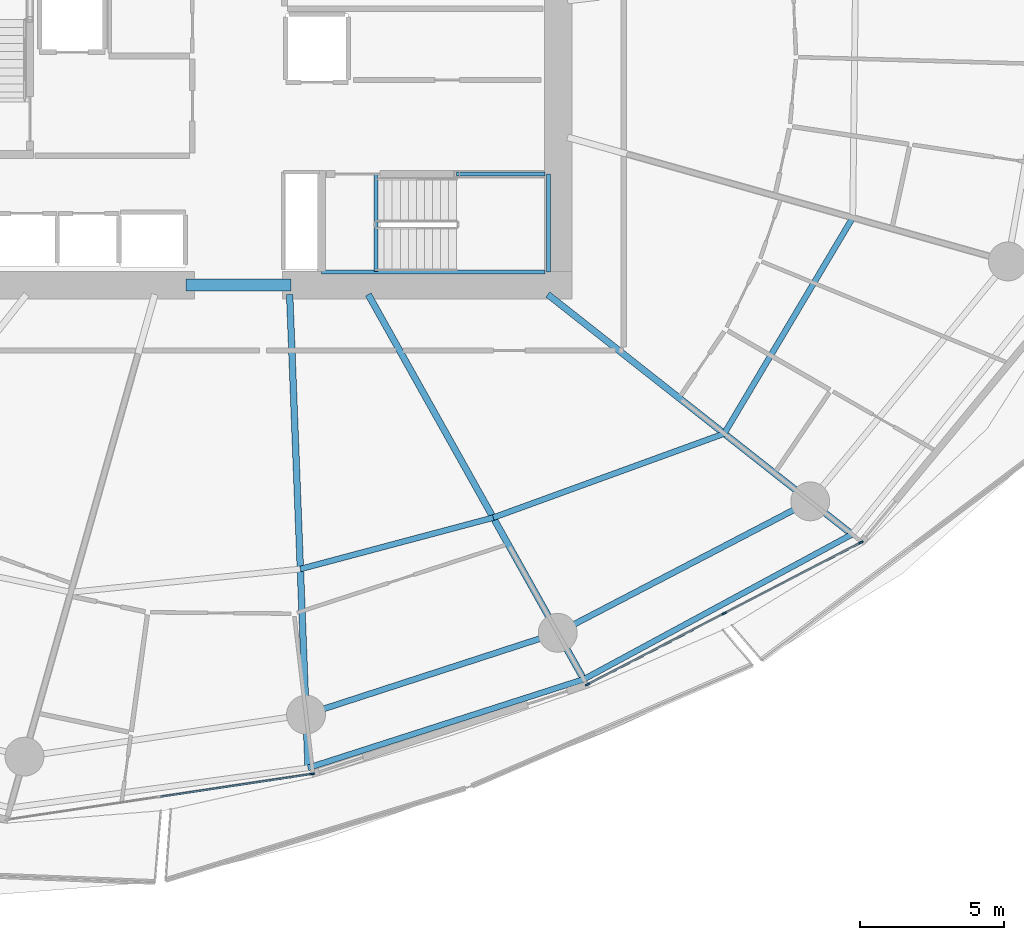
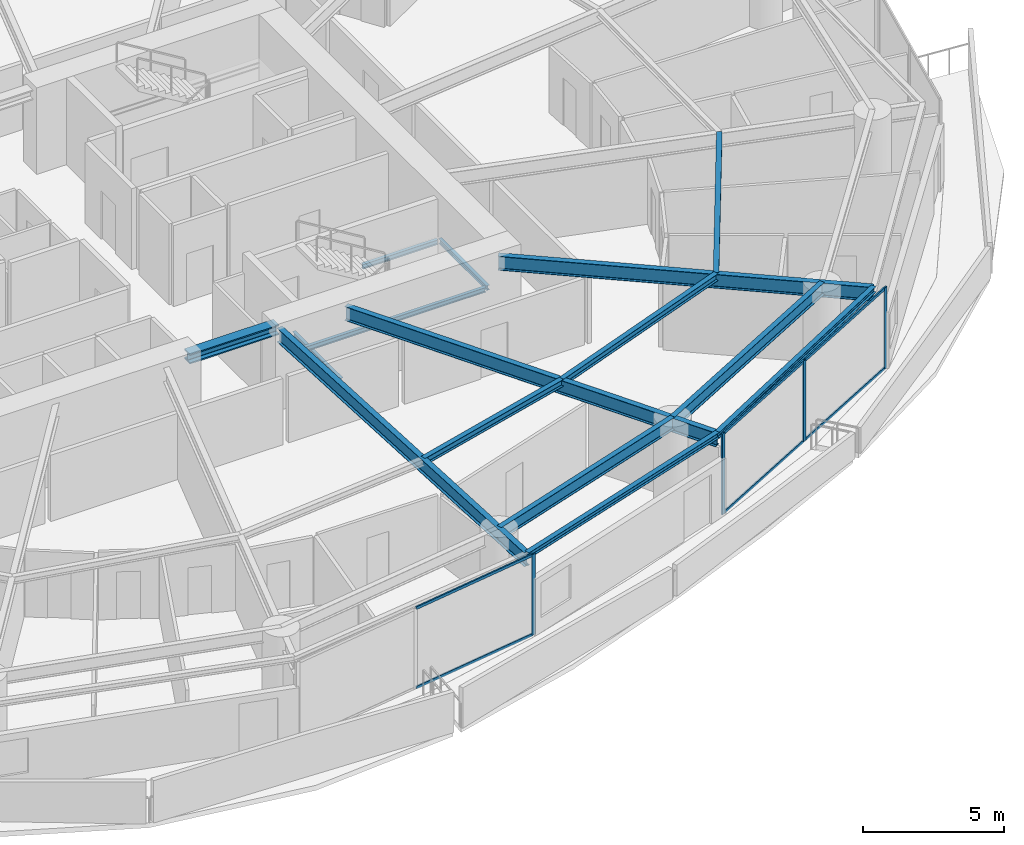
# One storey, part 10 of 31: 15 beams, 10 members, 2 elements without a shape of their own.
"""IFC4 building model written with IfcOpenShell, lengths in metres."""

from ifc_helpers import new_model, si_unit, direction, frame, origin, origin_2d, place, context, subcontext, project, spatial, rectangle, i_section, extrude, material, layer, layer_set, material_profile, profile_set, type_object, element, aggregate, save


model = new_model("IFC4")

# Units and contexts
model_context = context("Model", 3, precision=1e-05, world=origin(), true_north=direction((0.0, 1.0)))
body_context = subcontext(model_context, "Body", "Model", "MODEL_VIEW")
ifc_project = project(units=[si_unit("LENGTHUNIT", "METRE"), si_unit("AREAUNIT", "SQUARE_METRE"), si_unit("VOLUMEUNIT", "CUBIC_METRE"), si_unit("PLANEANGLEUNIT", "RADIAN"), si_unit("MASSUNIT", "GRAM", prefix="KILO")], contexts=[model_context])

# Site, building, storey
site_placement = place(None, origin())
site = spatial("IfcSite", under=ifc_project, at=site_placement, CompositionType="ELEMENT")
building_placement = place(site_placement, origin())
building = spatial("IfcBuilding", under=site, at=building_placement, Name="Kazma Halo Residences", CompositionType="ELEMENT")
storey_placement = place(building_placement, frame((0.0, 0.0, 52.64990234375)))
storey = spatial("IfcBuildingStorey", under=building, at=storey_placement, Name="L12", CompositionType="ELEMENT", Elevation=52.64990234375)

# Beams
ifc_material_1 = material(Name="Steel S355", Category="steel")
ifc_material_profile_1 = material_profile(ifc_material_1, i_section(OverallWidth=0.201904296875, OverallDepth=0.2470703125, WebThickness=0.00732421875, FlangeThickness=0.010986328125, FilletRadius=0.011962890625, at=origin_2d()), Name="W250x49.1")
ifc_profile_set_1 = profile_set([ifc_material_profile_1], Name="Steel S355")
beam_type_1 = type_object("IfcBeamType", Name="BM-BAL-CANT", PredefinedType="BEAM", material=ifc_profile_set_1)
beam_1_placement = place(storey_placement, frame((50.84033203125, 16.761962890625, 3.376708984375), z_axis=(0.952101049535, 0.305783569662, 0.0), x_axis=(-0.305783569662, 0.952101049535, 0.0)))
element("IfcBeam", 1, at=beam_1_placement, inside=storey, type_object=beam_type_1, Name="L12 wave-balcony tie beam 12", PredefinedType="BEAM", context=body_context, shape_type="SweptSolid", body=[
    extrude(i_section(OverallWidth=0.201904296875, OverallDepth=0.2470703125, WebThickness=0.00732421875, FlangeThickness=0.010986328125, FilletRadius=0.011962890625, at=origin_2d()), origin(), (0.0, 0.0, 1.0), 10.053466796875),
])
beam_2_placement = place(storey_placement, frame((60.412353515625, 19.836181640625, 3.376708984375), z_axis=(0.879759421466, 0.47541914175, 0.0), x_axis=(-0.47541914175, 0.879759421466, 0.0)))
element("IfcBeam", 2, at=beam_2_placement, inside=storey, type_object=beam_type_1, Name="L12 wave-balcony tie beam 13", PredefinedType="BEAM", context=body_context, shape_type="SweptSolid", body=[
    extrude(i_section(OverallWidth=0.201904296875, OverallDepth=0.2470703125, WebThickness=0.00732421875, FlangeThickness=0.010986328125, FilletRadius=0.011962890625, at=origin_2d()), origin(), (0.0, 0.0, 1.0), 10.58935546875),
])
ifc_material_profile_2 = material_profile(ifc_material_1, i_section(OverallWidth=0.408935546875, OverallDepth=0.425048828125, WebThickness=0.03271484375, FlangeThickness=0.052490234375, FilletRadius=0.02001953125, at=origin_2d()), Name="W360x421")
ifc_profile_set_2 = profile_set([ifc_material_profile_2], Name="Steel S355")
beam_type_2 = type_object("IfcBeamType", Name="BM-CORE-W360H", PredefinedType="BEAM", material=ifc_profile_set_2)
beam_3_placement = place(storey_placement, frame((46.60009765625, 33.52490234375, 3.28759765625), z_axis=(1.0, 0.0, 0.0), x_axis=(0.0, 1.0, 0.0)))
element("IfcBeam", 3, at=beam_3_placement, inside=storey, type_object=beam_type_2, Name="L12 core coupling beam S", PredefinedType="BEAM", context=body_context, shape_type="SweptSolid", body=[
    extrude(i_section(OverallWidth=0.408935546875, OverallDepth=0.425048828125, WebThickness=0.03271484375, FlangeThickness=0.052490234375, FilletRadius=0.02001953125, at=origin_2d()), origin(), (0.0, 0.0, 1.0), 3.64990234375),
])
ifc_material_profile_3 = material_profile(ifc_material_1, i_section(OverallWidth=0.22802734375, OverallDepth=0.60791015625, WebThickness=0.01123046875, FlangeThickness=0.017333984375, FilletRadius=0.01806640625, at=origin_2d()), Name="W610x113")
ifc_profile_set_3 = profile_set([ifc_material_profile_3], Name="Steel S355")
beam_type_3 = type_object("IfcBeamType", Name="BM-RAD-W610", PredefinedType="BEAM", material=ifc_profile_set_3)
beam_4_placement = place(storey_placement, frame((50.199951171875, 33.199951171875, 3.196044921875), z_axis=(0.038927845379, -0.999242024163, 0.0), x_axis=(0.999242024163, 0.038927845379, 0.0)))
element("IfcBeam", 4, at=beam_4_placement, inside=storey, type_object=beam_type_3, Name="L12 radial floor beam 12", PredefinedType="BEAM", context=body_context, shape_type="SweptSolid", body=[
    extrude(i_section(OverallWidth=0.22802734375, OverallDepth=0.60791015625, WebThickness=0.01123046875, FlangeThickness=0.017333984375, FilletRadius=0.01806640625, at=origin_2d()), origin(), (0.0, 0.0, 1.0), 16.450439453125),
])
beam_5_placement = place(storey_placement, frame((52.92822265625, 33.199951171875, 3.196044921875), z_axis=(0.488624239587, -0.872494328055, 0.0), x_axis=(0.872494328055, 0.488624239587, 0.0)))
element("IfcBeam", 5, at=beam_5_placement, inside=storey, type_object=beam_type_3, Name="L12 radial floor beam 13", PredefinedType="BEAM", context=body_context, shape_type="SweptSolid", body=[
    extrude(i_section(OverallWidth=0.22802734375, OverallDepth=0.60791015625, WebThickness=0.01123046875, FlangeThickness=0.017333984375, FilletRadius=0.01806640625, at=origin_2d()), origin(), (0.0, 0.0, 1.0), 15.316650390625),
])
beam_6_placement = place(storey_placement, frame((59.16259765625, 33.199951171875, 3.196044921875), z_axis=(0.785322437877, -0.619086963655, 0.0), x_axis=(0.619086963655, 0.785322437877, 0.0)))
element("IfcBeam", 6, at=beam_6_placement, inside=storey, type_object=beam_type_3, Name="L12 radial floor beam 14", PredefinedType="BEAM", context=body_context, shape_type="SweptSolid", body=[
    extrude(i_section(OverallWidth=0.22802734375, OverallDepth=0.60791015625, WebThickness=0.01123046875, FlangeThickness=0.017333984375, FilletRadius=0.01806640625, at=origin_2d()), origin(), (0.0, 0.0, 1.0), 13.454345703125),
])
ifc_material_profile_4 = material_profile(ifc_material_1, i_section(OverallWidth=0.202880859375, OverallDepth=0.302978515625, WebThickness=0.007568359375, FlangeThickness=0.01318359375, FilletRadius=0.013916015625, at=origin_2d()), Name="W310x60")
ifc_profile_set_4 = profile_set([ifc_material_profile_4], Name="Steel S355")
beam_type_4 = type_object("IfcBeamType", Name="BM-SEC-W310A", PredefinedType="JOIST", material=ifc_profile_set_4)
beam_7_placement = place(storey_placement, frame((50.5712890625, 23.666015625, 3.3486328125), z_axis=(0.966337757832, 0.257276772735, 0.0), x_axis=(-0.257276772735, 0.966337757832, 0.0)))
element("IfcBeam", 7, at=beam_7_placement, inside=storey, type_object=beam_type_4, Name="L12 circumferential floor joist 12", PredefinedType="JOIST", context=body_context, shape_type="SweptSolid", body=[
    extrude(i_section(OverallWidth=0.202880859375, OverallDepth=0.302978515625, WebThickness=0.007568359375, FlangeThickness=0.01318359375, FilletRadius=0.013916015625, at=origin_2d()), origin(), (0.0, 0.0, 1.0), 6.93115234375),
])
beam_8_placement = place(storey_placement, frame((57.26904296875, 25.44921875, 3.3486328125), z_axis=(0.939695690299, 0.34201170979, 0.0), x_axis=(-0.34201170979, 0.939695690299, 0.0)))
element("IfcBeam", 8, at=beam_8_placement, inside=storey, type_object=beam_type_4, Name="L12 circumferential floor joist 13", PredefinedType="JOIST", context=body_context, shape_type="SweptSolid", body=[
    extrude(i_section(OverallWidth=0.202880859375, OverallDepth=0.302978515625, WebThickness=0.007568359375, FlangeThickness=0.01318359375, FilletRadius=0.013916015625, at=origin_2d()), origin(), (0.0, 0.0, 1.0), 8.536865234375),
])
beam_9_placement = place(storey_placement, frame((65.291015625, 28.368896484375, 3.3486328125), z_axis=(0.511331320511, 0.859383663252, 0.0), x_axis=(-0.859383663252, 0.511331320511, 0.0)))
element("IfcBeam", 9, at=beam_9_placement, inside=storey, type_object=beam_type_4, Name="L12 circumferential floor joist 14", PredefinedType="JOIST", context=body_context, shape_type="SweptSolid", body=[
    extrude(i_section(OverallWidth=0.202880859375, OverallDepth=0.302978515625, WebThickness=0.007568359375, FlangeThickness=0.01318359375, FilletRadius=0.013916015625, at=origin_2d()), origin(), (0.0, 0.0, 1.0), 8.72314453125),
])
ifc_material_profile_5 = material_profile(ifc_material_1, i_section(OverallWidth=0.208984375, OverallDepth=0.532958984375, WebThickness=0.01025390625, FlangeThickness=0.015625, FilletRadius=0.01611328125, at=origin_2d()), Name="W530x92")
ifc_profile_set_5 = profile_set([ifc_material_profile_5], Name="Steel S355")
beam_type_5 = type_object("IfcBeamType", Name="BM-SPN-W530", PredefinedType="BEAM", material=ifc_profile_set_5)
beam_10_placement = place(storey_placement, frame((50.768310546875, 18.610595703125, 3.233642578125), z_axis=(0.951054956346, 0.309021795363, 0.0), x_axis=(-0.309021795363, 0.951054956346, 0.0)))
element("IfcBeam", 10, at=beam_10_placement, inside=storey, type_object=beam_type_5, Name="L12 perimeter ring beam 12", PredefinedType="BEAM", context=body_context, shape_type="SweptSolid", body=[
    extrude(i_section(OverallWidth=0.208984375, OverallDepth=0.532958984375, WebThickness=0.01025390625, FlangeThickness=0.015625, FilletRadius=0.01611328125, at=origin_2d()), origin(), (0.0, 0.0, 1.0), 9.189697265625),
])
beam_11_placement = place(storey_placement, frame((59.50830078125, 21.450439453125, 3.233642578125), z_axis=(0.886956241699, 0.461853467358, 0.0), x_axis=(-0.461853467358, 0.886956241699, 0.0)))
element("IfcBeam", 11, at=beam_11_placement, inside=storey, type_object=beam_type_5, Name="L12 perimeter ring beam 13", PredefinedType="BEAM", context=body_context, shape_type="SweptSolid", body=[
    extrude(i_section(OverallWidth=0.208984375, OverallDepth=0.532958984375, WebThickness=0.01025390625, FlangeThickness=0.015625, FilletRadius=0.01611328125, at=origin_2d()), origin(), (0.0, 0.0, 1.0), 9.885009765625),
])
ifc_material_profile_6 = material_profile(ifc_material_1, i_section(OverallWidth=0.133056640625, OverallDepth=0.20703125, WebThickness=0.005859375, FlangeThickness=0.00830078125, FilletRadius=0.010009765625, at=origin_2d()), Name="W200x26.6")
ifc_profile_set_6 = profile_set([ifc_material_profile_6], Name="Steel S355")
beam_type_6 = type_object("IfcBeamType", Name="BM-TRIM-W200", PredefinedType="BEAM", material=ifc_profile_set_6)
beam_12_placement = place(storey_placement, frame((53.199951171875, 34.0, -0.35986328125), z_axis=(0.0, 1.0, 0.0), x_axis=(-1.0, 0.0, 0.0)))
element("IfcBeam", 12, at=beam_12_placement, inside=storey, type_object=beam_type_6, Name="L12 ST-03 floor landing support beam", PredefinedType="BEAM", context=body_context, shape_type="SweptSolid", body=[
    extrude(i_section(OverallWidth=0.133056640625, OverallDepth=0.20703125, WebThickness=0.005859375, FlangeThickness=0.00830078125, FilletRadius=0.010009765625, at=origin_2d()), origin(), (0.0, 0.0, 1.0), 3.3798828125),
])
beam_13_placement = place(storey_placement, frame((51.31005859375, 33.97998046875, 1.570068359375), z_axis=(1.0, 0.0, 0.0), x_axis=(0.0, 1.0, 0.0)))
element("IfcBeam", 13, at=beam_13_placement, inside=storey, type_object=beam_type_6, Name="L12 ST-03 landing south wall ledger", PredefinedType="BEAM", context=body_context, shape_type="SweptSolid", body=[
    extrude(i_section(OverallWidth=0.133056640625, OverallDepth=0.20703125, WebThickness=0.005859375, FlangeThickness=0.00830078125, FilletRadius=0.010009765625, at=origin_2d()), origin(), (0.0, 0.0, 1.0), 7.760009765625),
])
beam_14_placement = place(storey_placement, frame((56.0, 37.3798828125, 1.570068359375), z_axis=(1.0, 0.0, 0.0), x_axis=(0.0, 1.0, 0.0)))
element("IfcBeam", 14, at=beam_14_placement, inside=storey, type_object=beam_type_6, Name="L12 ST-03 landing north wall ledger", PredefinedType="BEAM", context=body_context, shape_type="SweptSolid", body=[
    extrude(i_section(OverallWidth=0.133056640625, OverallDepth=0.20703125, WebThickness=0.005859375, FlangeThickness=0.00830078125, FilletRadius=0.010009765625, at=origin_2d()), origin(), (0.0, 0.0, 1.0), 3.070068359375),
])
beam_15_placement = place(storey_placement, frame((59.18994140625, 33.97998046875, 1.570068359375), z_axis=(0.0, 1.0, 0.0), x_axis=(-1.0, 0.0, 0.0)))
element("IfcBeam", 15, at=beam_15_placement, inside=storey, type_object=beam_type_6, Name="L12 ST-03 landing end wall ledger", PredefinedType="BEAM", context=body_context, shape_type="SweptSolid", body=[
    extrude(i_section(OverallWidth=0.133056640625, OverallDepth=0.20703125, WebThickness=0.005859375, FlangeThickness=0.00830078125, FilletRadius=0.010009765625, at=origin_2d()), origin(), (0.0, 0.0, 1.0), 3.39990234375),
])

# Curtain wall, member
ifc_material_2 = material(Name="Aluminium AW-6063 T6 and Triple-Silver Low-E Glass", Category="aluminium")
ifc_layer = layer(ifc_material_2, 0.159912109375)
ifc_layer_set = layer_set([ifc_layer], Name="Aluminium AW-6063 T6 and Triple-Silver Low-E Glass")
curtain_wall_type = type_object("IfcCurtainWallType", Name="CW-SYS-2", PredefinedType="NOTDEFINED", material=ifc_layer_set)
curtain_wall_1_placement = place(storey_placement, origin())
curtain_wall_1 = element("IfcCurtainWall", 16, at=curtain_wall_1_placement, inside=storey, type_object=curtain_wall_type, Name="L12 unitised curtain wall B11", PredefinedType="NOTDEFINED")
ifc_material_3 = material(Name="Aluminium AW-6063 T6", Category="aluminium")
ifc_material_profile_7 = material_profile(ifc_material_3, rectangle(XDim=0.06005859375, YDim=0.159912109375, at=origin_2d()), Name="CWM-60x160")
ifc_profile_set_7 = profile_set([ifc_material_profile_7], Name="Aluminium AW-6063 T6")
member_type_1 = type_object("IfcMemberType", Name="CW-SYS-2-MUL", PredefinedType="MULLION", material=ifc_profile_set_7)
member_1_placement = place(storey_placement, frame((50.981689453125, 16.552490234375, 0.0), z_axis=(0.0, 0.0, 1.0), x_axis=(-0.148657272805, 0.988888777994, 0.0)))
member_1 = element("IfcMember", 17, at=member_1_placement, type_object=member_type_1, Name="CWS-2 mullion 3", PredefinedType="MULLION", context=body_context, shape_type="SweptSolid", body=[
    extrude(rectangle(XDim=0.06005859375, YDim=0.159912109375, at=origin_2d()), origin(), (0.0, 0.0, 1.0), 3.5),
])

# Curtain wall, members
curtain_wall_2_placement = place(storey_placement, origin())
curtain_wall_2 = element("IfcCurtainWall", 18, at=curtain_wall_2_placement, inside=storey, type_object=curtain_wall_type, Name="L12 unitised curtain wall B13", PredefinedType="NOTDEFINED")
member_2_placement = place(storey_placement, frame((60.54541015625, 19.659912109375, 0.0), z_axis=(0.0, 0.0, 1.0), x_axis=(-0.460995912628, 0.887402258584, 0.0)))
member_2 = element("IfcMember", 19, at=member_2_placement, type_object=member_type_1, Name="CWS-2 mullion 1", PredefinedType="MULLION", context=body_context, shape_type="SweptSolid", body=[
    extrude(rectangle(XDim=0.06005859375, YDim=0.159912109375, at=origin_2d()), origin(), (0.0, 0.0, 1.0), 3.5),
])
member_3_placement = place(storey_placement, frame((65.2919921875, 22.125732421875, 0.0), z_axis=(0.0, 0.0, 1.0), x_axis=(-0.460995912628, 0.887402258584, 0.0)))
member_3 = element("IfcMember", 20, at=member_3_placement, type_object=member_type_1, Name="CWS-2 mullion 2", PredefinedType="MULLION", context=body_context, shape_type="SweptSolid", body=[
    extrude(rectangle(XDim=0.06005859375, YDim=0.159912109375, at=origin_2d()), origin(), (0.0, 0.0, 1.0), 3.5),
])
member_4_placement = place(storey_placement, frame((70.03857421875, 24.591552734375, 0.0), z_axis=(0.0, 0.0, 1.0), x_axis=(-0.460995912628, 0.887402258584, 0.0)))
member_4 = element("IfcMember", 21, at=member_4_placement, type_object=member_type_1, Name="CWS-2 mullion 3", PredefinedType="MULLION", context=body_context, shape_type="SweptSolid", body=[
    extrude(rectangle(XDim=0.06005859375, YDim=0.159912109375, at=origin_2d()), origin(), (0.0, 0.0, 1.0), 3.5),
])

# Member
ifc_material_profile_8 = material_profile(ifc_material_3, rectangle(XDim=0.06005859375, YDim=0.1201171875, at=origin_2d()), Name="CWT-60x120")
ifc_profile_set_8 = profile_set([ifc_material_profile_8], Name="Aluminium AW-6063 T6")
member_type_2 = type_object("IfcMemberType", Name="CW-SYS-2-TRN", PredefinedType="USERDEFINED", material=ifc_profile_set_8)
member_5_placement = place(storey_placement, frame((45.721923828125, 15.761962890625, 0.030029296875), z_axis=(0.98889195415, 0.148636143041, 0.0), x_axis=(-0.148636143041, 0.98889195415, 0.0)))
member_5 = element("IfcMember", 22, at=member_5_placement, type_object=member_type_2, Name="CWS-2 transom 2.1", ObjectType="TRANSOM", PredefinedType="USERDEFINED", context=body_context, shape_type="SweptSolid", body=[
    extrude(rectangle(XDim=0.06005859375, YDim=0.1201171875, at=origin_2d()), origin(), (0.0, 0.0, 1.0), 5.2890625),
])

member_6_placement = place(storey_placement, frame((45.721923828125, 15.761962890625, 3.47021484375), z_axis=(0.98889195415, 0.148636143041, 0.0), x_axis=(-0.148636143041, 0.98889195415, 0.0)))
member_6 = element("IfcMember", 23, at=member_6_placement, type_object=member_type_2, Name="CWS-2 transom 2.2", ObjectType="TRANSOM", PredefinedType="USERDEFINED", context=body_context, shape_type="SweptSolid", body=[
    extrude(rectangle(XDim=0.06005859375, YDim=0.1201171875, at=origin_2d()), origin(), (0.0, 0.0, 1.0), 5.2890625),
])

aggregate(curtain_wall_1, [member_1, member_5, member_6])

member_7_placement = place(storey_placement, frame((60.572021484375, 19.673828125, 0.030029296875), z_axis=(0.887414738583, 0.460971888238, 0.0), x_axis=(-0.460971888238, 0.887414738583, 0.0)))
member_7 = element("IfcMember", 24, at=member_7_placement, type_object=member_type_2, Name="CWS-2 transom 1.1", ObjectType="TRANSOM", PredefinedType="USERDEFINED", context=body_context, shape_type="SweptSolid", body=[
    extrude(rectangle(XDim=0.06005859375, YDim=0.1201171875, at=origin_2d()), origin(), (0.0, 0.0, 1.0), 5.288818359375),
])

member_8_placement = place(storey_placement, frame((60.572021484375, 19.673828125, 3.47021484375), z_axis=(0.887414738583, 0.460971888238, 0.0), x_axis=(-0.460971888238, 0.887414738583, 0.0)))
member_8 = element("IfcMember", 25, at=member_8_placement, type_object=member_type_2, Name="CWS-2 transom 1.2", ObjectType="TRANSOM", PredefinedType="USERDEFINED", context=body_context, shape_type="SweptSolid", body=[
    extrude(rectangle(XDim=0.06005859375, YDim=0.1201171875, at=origin_2d()), origin(), (0.0, 0.0, 1.0), 5.288818359375),
])

member_9_placement = place(storey_placement, frame((65.318603515625, 22.1396484375, 0.030029296875), z_axis=(0.887414738583, 0.460971888238, 0.0), x_axis=(-0.460971888238, 0.887414738583, 0.0)))
member_9 = element("IfcMember", 26, at=member_9_placement, type_object=member_type_2, Name="CWS-2 transom 2.1", ObjectType="TRANSOM", PredefinedType="USERDEFINED", context=body_context, shape_type="SweptSolid", body=[
    extrude(rectangle(XDim=0.06005859375, YDim=0.1201171875, at=origin_2d()), origin(), (0.0, 0.0, 1.0), 5.288818359375),
])

member_10_placement = place(storey_placement, frame((65.318603515625, 22.1396484375, 3.47021484375), z_axis=(0.887414738583, 0.460971888238, 0.0), x_axis=(-0.460971888238, 0.887414738583, 0.0)))
member_10 = element("IfcMember", 27, at=member_10_placement, type_object=member_type_2, Name="CWS-2 transom 2.2", ObjectType="TRANSOM", PredefinedType="USERDEFINED", context=body_context, shape_type="SweptSolid", body=[
    extrude(rectangle(XDim=0.06005859375, YDim=0.1201171875, at=origin_2d()), origin(), (0.0, 0.0, 1.0), 5.288818359375),
])

aggregate(curtain_wall_2, [member_2, member_3, member_4, member_7, member_8, member_9, member_10])

save(model, "model.ifc")
